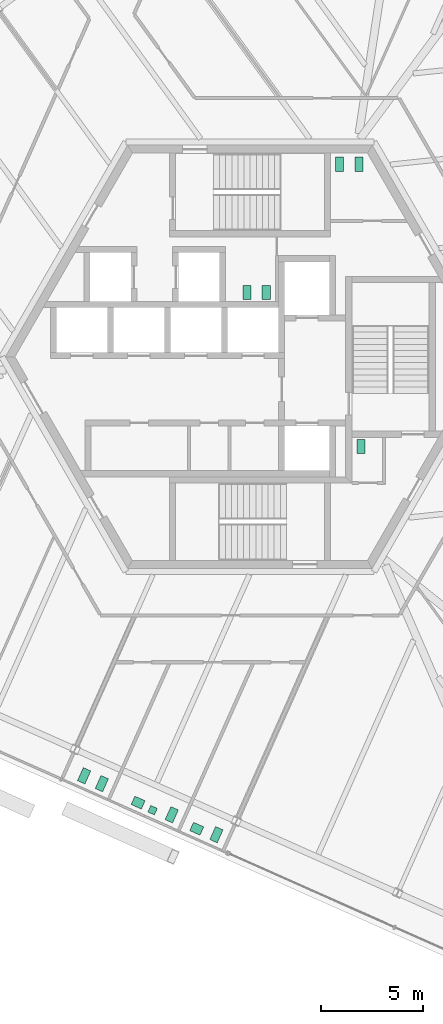
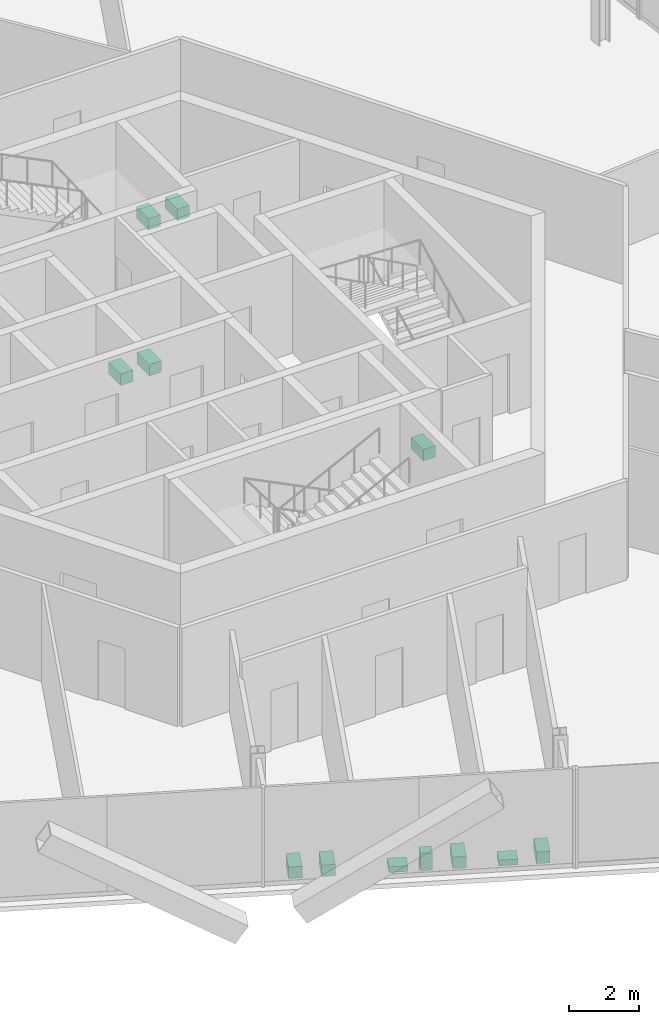
# One storey, part 17 of 19: 12 sanitary terminals.
"""IFC4 building model written with IfcOpenShell, lengths in metres."""

from ifc_helpers import new_model, si_unit, direction, frame, origin, origin_2d, place, context, subcontext, project, spatial, rectangle, extrude, source, transform, mapped, material, element, save


model = new_model("IFC4")

# Units and contexts
model_context = context("Model", 3, precision=1e-05, world=origin(), true_north=direction((0.0, 1.0)))
body_context = subcontext(model_context, "Body", "Model", "MODEL_VIEW")
ifc_project = project(units=[si_unit("LENGTHUNIT", "METRE"), si_unit("AREAUNIT", "SQUARE_METRE"), si_unit("VOLUMEUNIT", "CUBIC_METRE"), si_unit("PLANEANGLEUNIT", "RADIAN"), si_unit("MASSUNIT", "GRAM", prefix="KILO")], contexts=[model_context])

# Site, building, storey
site_placement = place(None, origin())
site = spatial("IfcSite", under=ifc_project, at=site_placement, CompositionType="ELEMENT")
building_placement = place(site_placement, origin())
building = spatial("IfcBuilding", under=site, at=building_placement, Name="Triune Harvest Tower", CompositionType="ELEMENT")
storey_placement = place(building_placement, frame((0.0, 0.0, 76.5)))
storey = spatial("IfcBuildingStorey", under=building, at=storey_placement, Name="L18", CompositionType="ELEMENT", Elevation=76.5)

# Sanitary terminals
ifc_material = material(Name="Vitreous china")
shared_shape_1 = source(origin(), body_context, "Body", "SweptSolid", [
    extrude(rectangle(XDim=0.39990234375, YDim=0.699951171875, at=origin_2d()), origin(), (0.0, 0.0, 1.0), 0.39990234375),
])
for number, where, z_axis, x_axis, name in (
    (1, (4.39990234375, 9.449951171875, 0.0), (0.0, 0.0, 1.0), (1.0, 0.0, 0.0), "Toilet pan L18.c01"),
    (2, (5.35009765625, 9.449951171875, 0.0), (0.0, 0.0, 1.0), (1.0, 0.0, 0.0), "Toilet pan L18.c02"),
    (3, (0.800048828125, 3.159912109375, 0.0), (0.0, 0.0, 1.0), (-1.0, 0.0, 0.0), "Toilet pan L18.c03"),
    (4, (-0.14990234375, 3.159912109375, 0.0), (0.0, 0.0, 1.0), (-1.0, 0.0, 0.0), "Toilet pan L18.c04"),
    (5, (5.449951171875, -4.39990234375, 0.0), (0.0, 0.0, 1.0), (1.0, 0.0, 0.0), "Toilet pan L18.c05"),
    (6, (-7.2705078125, -20.951904296875, 0.0), (0.0, 0.0, 1.0), (-0.91353835861, 0.40675258739, 0.0), "Toilet pan 01"),
    (7, (-8.138427734375, -20.5654296875, 0.0), (0.0, 0.0, 1.0), (-0.91353835861, 0.40675258739, 0.0), "Toilet pan 02"),
    (8, (-3.838134765625, -22.480224609375, 0.0), (0.0, 0.0, 1.0), (-0.913552556397, 0.406720698638, 0.0), "Toilet pan 03"),
    (9, (-1.6455078125, -23.456298828125, 0.0), (0.0, 0.0, 1.0), (-0.91353835861, 0.40675258739, 0.0), "Toilet pan 06"),
):
    element("IfcSanitaryTerminal", number, at=place(storey_placement, frame(where, z_axis=z_axis, x_axis=x_axis)), inside=storey, material=ifc_material, Name=name, PredefinedType="TOILETPAN", context=body_context, shape_type="MappedRepresentation", body=[
        mapped(shared_shape_1, transform((0.0, 0.0, 0.0), scale=1.0)),
    ])
shared_shape_2 = source(origin(), body_context, "Body", "SweptSolid", [
    extrude(rectangle(XDim=0.35009765625, YDim=0.35009765625, at=origin_2d()), origin(), (0.0, 0.0, 1.0), 0.60009765625),
])
sanitary_terminal_placement = place(storey_placement, frame((-4.777099609375, -22.253662109375, 0.0), z_axis=(0.0, 0.0, 1.0), x_axis=(-0.913552556397, 0.406720698638, 0.0)))
element("IfcSanitaryTerminal", 10, at=sanitary_terminal_placement, inside=storey, material=ifc_material, Name="Urinal 04", PredefinedType="URINAL", context=body_context, shape_type="MappedRepresentation", body=[
    mapped(shared_shape_2, transform((0.0, 0.0, 0.0), scale=1.0)),
])
shared_shape_3 = source(origin(), body_context, "Body", "SweptSolid", [
    extrude(rectangle(XDim=0.550048828125, YDim=0.449951171875, at=origin_2d()), origin(), (0.0, 0.0, 1.0), 0.199951171875),
])
for number, where, z_axis, x_axis, name in (
    (11, (-5.48779296875, -21.882568359375, 0.0), (0.0, 0.0, 1.0), (-0.913552556397, 0.406720698638, 0.0), "Wash basin 05"),
    (12, (-2.610107421875, -23.163818359375, 0.0), (0.0, 0.0, 1.0), (-0.91353835861, 0.40675258739, 0.0), "Wash basin 07"),
):
    element("IfcSanitaryTerminal", number, at=place(storey_placement, frame(where, z_axis=z_axis, x_axis=x_axis)), inside=storey, material=ifc_material, Name=name, PredefinedType="WASHHANDBASIN", context=body_context, shape_type="MappedRepresentation", body=[
        mapped(shared_shape_3, transform((0.0, 0.0, 0.0), scale=1.0)),
    ])

save(model, "model.ifc")
